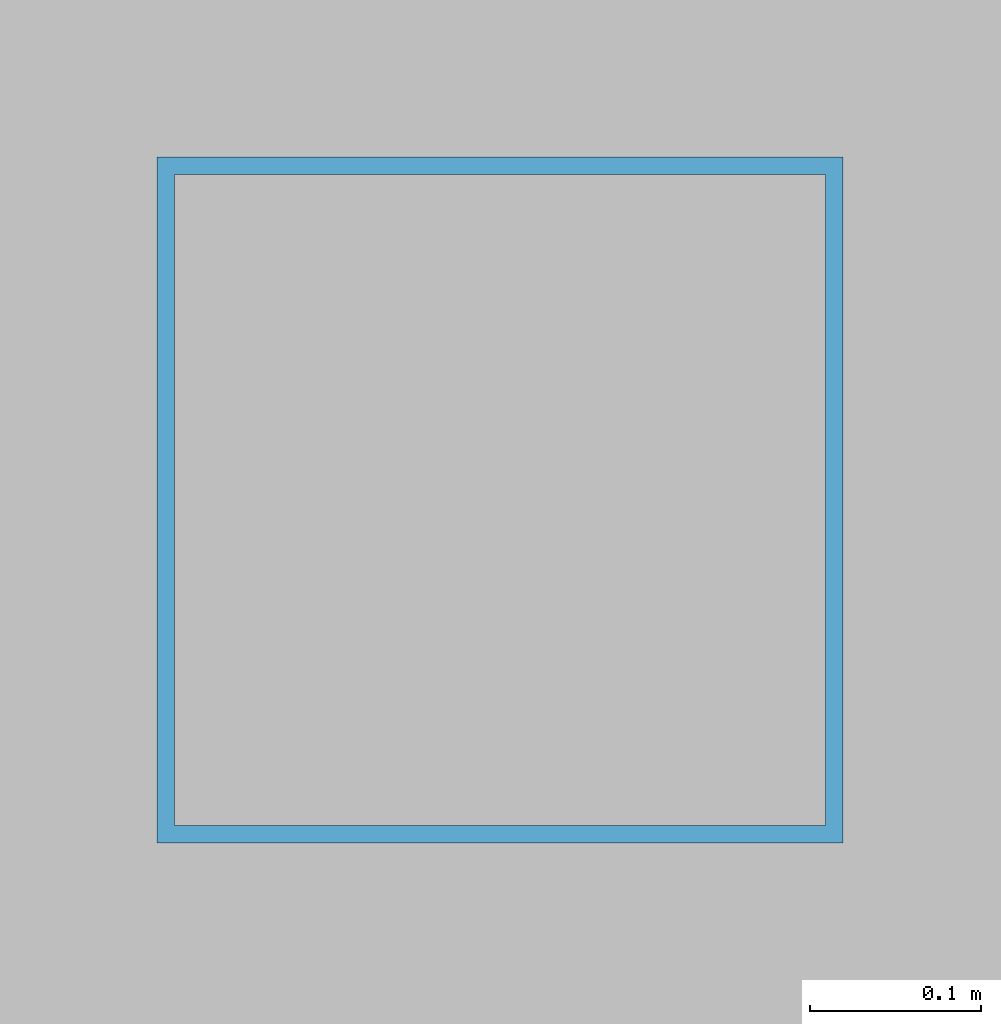
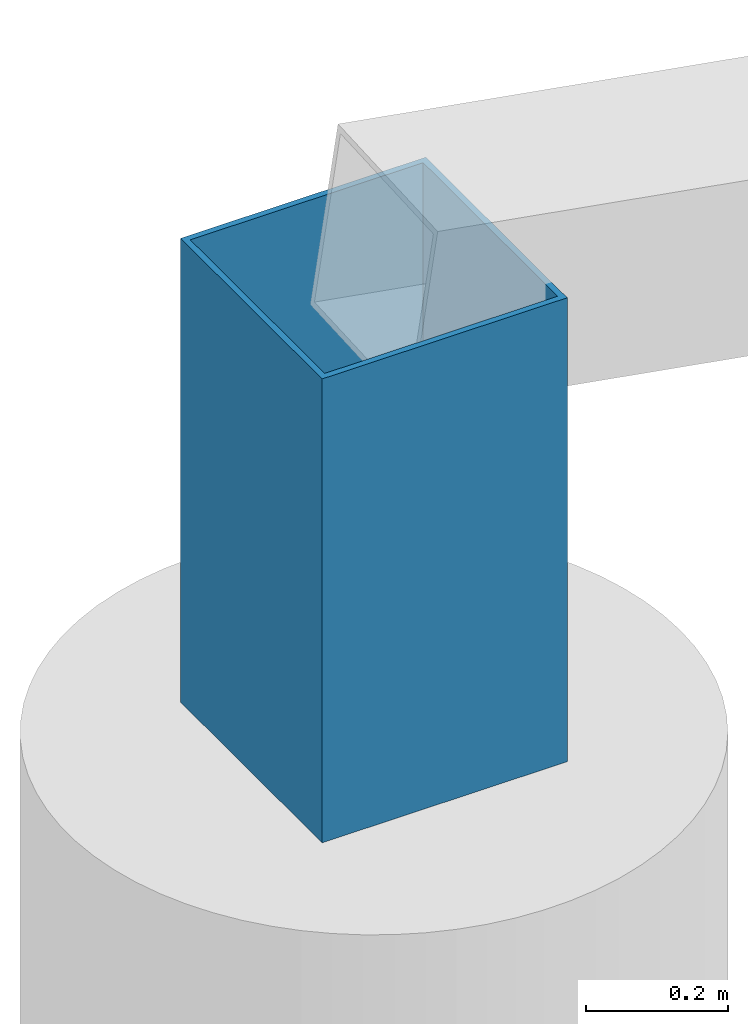
# One storey, part 212 of 344: 1 member.
"""IFC4 building model written with IfcOpenShell, lengths in metres."""

from ifc_helpers import new_model, si_unit, direction, frame, origin, origin_2d, place, context, subcontext, project, spatial, hollow_rectangle, extrude, material, material_profile, profile_set, type_object, element, save


model = new_model("IFC4")

# Units and contexts
model_context = context("Model", 3, precision=1e-05, world=origin(), true_north=direction((0.0, 1.0)))
body_context = subcontext(model_context, "Body", "Model", "MODEL_VIEW")
ifc_project = project(units=[si_unit("LENGTHUNIT", "METRE"), si_unit("AREAUNIT", "SQUARE_METRE"), si_unit("VOLUMEUNIT", "CUBIC_METRE"), si_unit("PLANEANGLEUNIT", "RADIAN"), si_unit("MASSUNIT", "GRAM", prefix="KILO")], contexts=[model_context])

# Site, building, storey
site_placement = place(None, origin())
site = spatial("IfcSite", under=ifc_project, at=site_placement, CompositionType="ELEMENT")
building_placement = place(site_placement, origin())
building = spatial("IfcBuilding", under=site, at=building_placement, Name="Meseta Stadium", CompositionType="ELEMENT")
storey_placement = place(building_placement, frame((0.0, 0.0, 24.0)))
storey = spatial("IfcBuildingStorey", under=building, at=storey_placement, Name="L04", CompositionType="ELEMENT", Elevation=24.0)

# Member
ifc_material = material(Name="Steel S355", Category="steel")
ifc_material_profile = material_profile(ifc_material, hollow_rectangle(XDim=0.39990234375, YDim=0.39990234375, WallThickness=0.010009765625, at=origin_2d()), Name="SHS 400x400x10")
ifc_profile_set = profile_set([ifc_material_profile], Name="Steel S355")
member_type = type_object("IfcMemberType", Name="SHS 400x400x10 pedestal", PredefinedType="POST", material=ifc_profile_set)
member_placement = place(storey_placement, frame((-84.97314453125, 18.41064453125, 6.0), z_axis=(0.0, 0.0, 1.0), x_axis=(1.0, 0.0, 0.0)))
element("IfcMember", 1, at=member_placement, inside=storey, type_object=member_type, Name="ROOF TRUSS RT-31 pedestal", PredefinedType="POST", context=body_context, shape_type="SweptSolid", body=[
    extrude(hollow_rectangle(XDim=0.39990234375, YDim=0.39990234375, WallThickness=0.010009765625, at=origin_2d()), origin(), (0.0, 0.0, 1.0), 0.800048828125),
])

save(model, "model.ifc")
